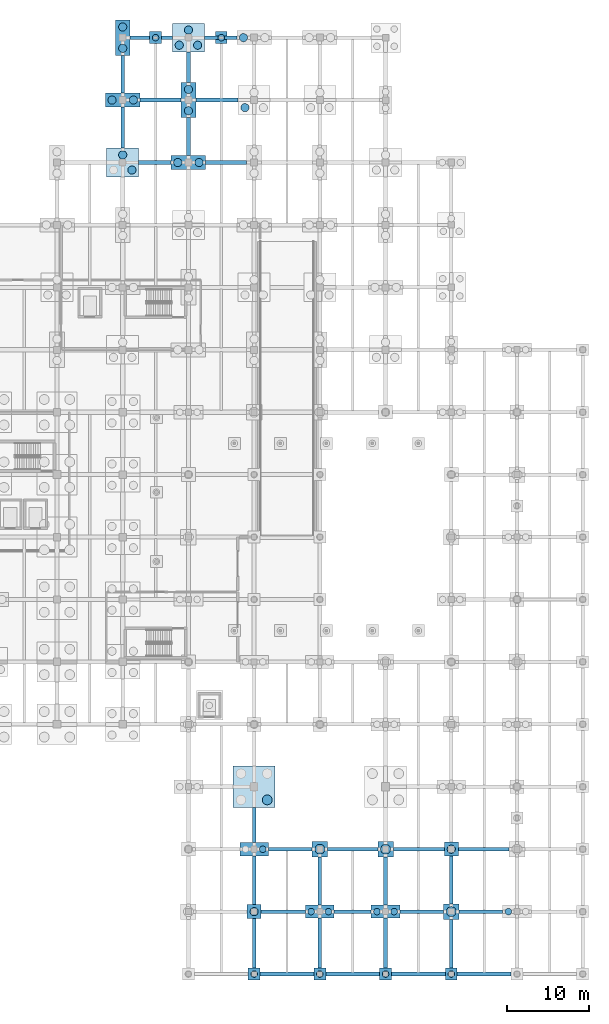
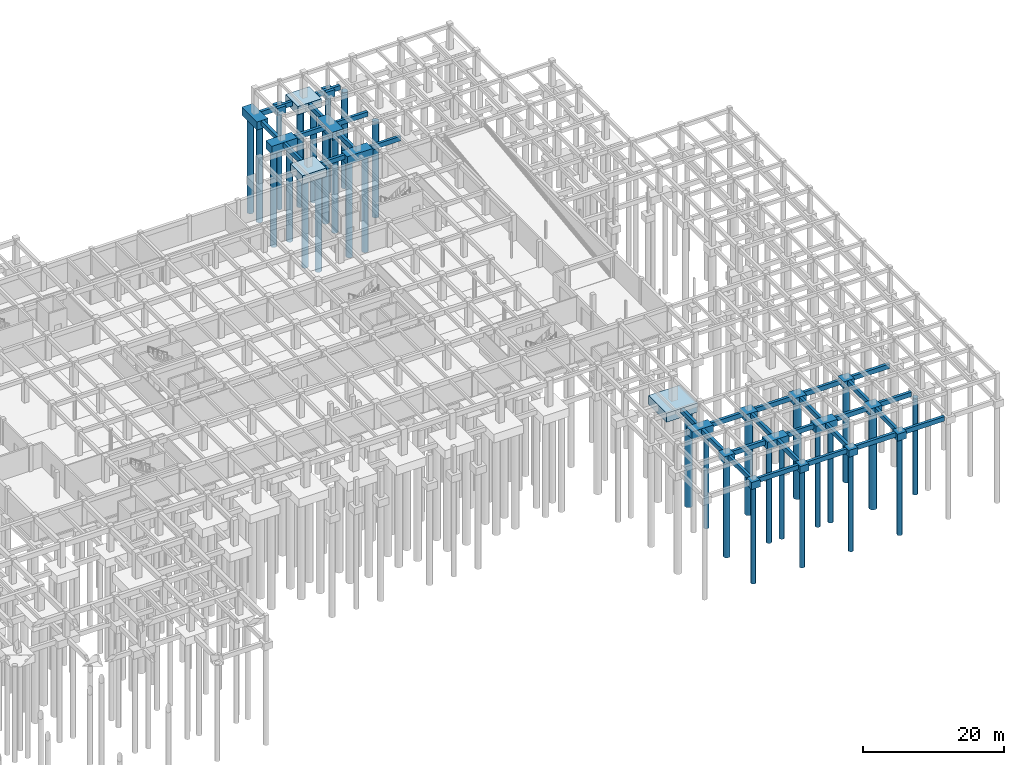
# One storey, part 12 of 49: 52 footings, 33 piles.
"""IFC4 building model written with IfcOpenShell, lengths in metres."""

from ifc_helpers import new_model, si_unit, direction, frame, origin, origin_2d, place, context, subcontext, project, spatial, rectangle, circle, extrude, material, layer, layer_set, material_profile, profile_set, type_object, element, save


model = new_model("IFC4")

# Units and contexts
model_context = context("Model", 3, precision=1e-05, world=origin(), true_north=direction((0.0, 1.0)))
body_context = subcontext(model_context, "Body", "Model", "MODEL_VIEW")
ifc_project = project(units=[si_unit("LENGTHUNIT", "METRE"), si_unit("AREAUNIT", "SQUARE_METRE"), si_unit("VOLUMEUNIT", "CUBIC_METRE"), si_unit("PLANEANGLEUNIT", "RADIAN"), si_unit("MASSUNIT", "GRAM", prefix="KILO")], contexts=[model_context])

# Site, building, storey
site_placement = place(None, origin())
site = spatial("IfcSite", under=ifc_project, at=site_placement, CompositionType="ELEMENT")
building_placement = place(site_placement, origin())
building = spatial("IfcBuilding", under=site, at=building_placement, Name="Zantavel Square City Hall", CompositionType="ELEMENT")
storey_placement = place(building_placement, frame((0.0, 0.0, -4.5)))
storey = spatial("IfcBuildingStorey", under=building, at=storey_placement, Name="B1", CompositionType="ELEMENT", Elevation=-4.5)

# Piles
ifc_material_1 = material(Name="Concrete C35/45", Category="concrete")
ifc_material_profile_1 = material_profile(ifc_material_1, circle(Radius=0.5, at=origin_2d()), Name="PILE D1000")
ifc_profile_set_1 = profile_set([ifc_material_profile_1], Name="Concrete C35/45")
pile_type_1 = type_object("IfcPileType", Name="Bored Pile D1000 Concrete C35/45", PredefinedType="BORED", material=ifc_profile_set_1)
for number, where, z_axis, x_axis, name in (
    (1, (113.1201171875, 97.8798828125, -1.35009765625), (0.0, 0.0, -1.0), (1.0, 0.0, 0.0), "Bored Pile FDN-PL-1120-0988-2"),
    (2, (112.0, 99.719970703125, -1.35009765625), (0.0, 0.0, -1.0), (1.0, 0.0, 0.0), "Bored Pile FDN-PL-1120-0988-3"),
):
    element("IfcPile", number, at=place(storey_placement, frame(where, z_axis=z_axis, x_axis=x_axis)), inside=storey, type_object=pile_type_1, Name=name, PredefinedType="BORED", context=body_context, shape_type="SweptSolid", body=[
        extrude(circle(Radius=0.5, at=origin_2d()), origin(), (0.0, 0.0, 1.0), 16.64990234375),
    ])
for number, where, z_axis, x_axis, name in (
    (3, (110.699951171875, 106.39990234375, -1.300048828125), (0.0, 0.0, -1.0), (1.0, 0.0, 0.0), "Bored Pile FDN-PL-1120-1064-1"),
    (4, (113.300048828125, 106.39990234375, -1.300048828125), (0.0, 0.0, -1.0), (1.0, 0.0, 0.0), "Bored Pile FDN-PL-1120-1064-2"),
    (5, (112.0, 112.699951171875, -1.300048828125), (0.0, 0.0, -1.0), (1.0, 0.0, 0.0), "Bored Pile FDN-PL-1120-1140-1"),
    (6, (112.0, 115.300048828125, -1.300048828125), (0.0, 0.0, -1.0), (1.0, 0.0, 0.0), "Bored Pile FDN-PL-1120-1140-2"),
    (7, (118.699951171875, 98.800048828125, -1.300048828125), (0.0, 0.0, -1.0), (1.0, 0.0, 0.0), "Bored Pile FDN-PL-1200-0988-1"),
    (8, (121.300048828125, 98.800048828125, -1.300048828125), (0.0, 0.0, -1.0), (1.0, 0.0, 0.0), "Bored Pile FDN-PL-1200-0988-2"),
    (9, (120.0, 105.10009765625, -1.300048828125), (0.0, 0.0, -1.0), (1.0, 0.0, 0.0), "Bored Pile FDN-PL-1200-1064-1"),
    (10, (120.0, 107.699951171875, -1.300048828125), (0.0, 0.0, -1.0), (1.0, 0.0, 0.0), "Bored Pile FDN-PL-1200-1064-2"),
):
    element("IfcPile", number, at=place(storey_placement, frame(where, z_axis=z_axis, x_axis=x_axis)), inside=storey, type_object=pile_type_1, Name=name, PredefinedType="BORED", context=body_context, shape_type="SweptSolid", body=[
        extrude(circle(Radius=0.5, at=origin_2d()), origin(), (0.0, 0.0, 1.0), 16.699951171875),
    ])
for number, where, z_axis, x_axis, name in (
    (11, (118.8798828125, 113.080078125, -1.35009765625), (0.0, 0.0, -1.0), (1.0, 0.0, 0.0), "Bored Pile FDN-PL-1200-1140-1"),
    (12, (121.1201171875, 113.080078125, -1.35009765625), (0.0, 0.0, -1.0), (1.0, 0.0, 0.0), "Bored Pile FDN-PL-1200-1140-2"),
    (13, (120.0, 114.919921875, -1.35009765625), (0.0, 0.0, -1.0), (1.0, 0.0, 0.0), "Bored Pile FDN-PL-1200-1140-3"),
):
    element("IfcPile", number, at=place(storey_placement, frame(where, z_axis=z_axis, x_axis=x_axis)), inside=storey, type_object=pile_type_1, Name=name, PredefinedType="BORED", context=body_context, shape_type="SweptSolid", body=[
        extrude(circle(Radius=0.5, at=origin_2d()), origin(), (0.0, 0.0, 1.0), 16.64990234375),
    ])
pile_1_placement = place(storey_placement, frame((128.0, 7.60009765625, -1.14990234375), z_axis=(0.0, 0.0, -1.0), x_axis=(1.0, 0.0, 0.0)))
element("IfcPile", 14, at=pile_1_placement, inside=storey, type_object=pile_type_1, Name="Bored Pile FDN-PL-1280-0076-1", PredefinedType="BORED", context=body_context, shape_type="SweptSolid", body=[
    extrude(circle(Radius=0.5, at=origin_2d()), origin(), (0.0, 0.0, 1.0), 16.85009765625),
])
pile_2_placement = place(storey_placement, frame((126.8798828125, 105.47998046875, -1.35009765625), z_axis=(0.0, 0.0, -1.0), x_axis=(1.0, 0.0, 0.0)))
element("IfcPile", 15, at=pile_2_placement, inside=storey, type_object=pile_type_1, Name="Bored Pile FDN-PL-1280-1064-1", PredefinedType="BORED", context=body_context, shape_type="SweptSolid", body=[
    extrude(circle(Radius=0.5, at=origin_2d()), origin(), (0.0, 0.0, 1.0), 16.64990234375),
])
pile_3_placement = place(storey_placement, frame((126.699951171875, 114.0, -1.300048828125), z_axis=(0.0, 0.0, -1.0), x_axis=(1.0, 0.0, 0.0)))
element("IfcPile", 16, at=pile_3_placement, inside=storey, type_object=pile_type_1, Name="Bored Pile FDN-PL-1280-1140-1", PredefinedType="BORED", context=body_context, shape_type="SweptSolid", body=[
    extrude(circle(Radius=0.5, at=origin_2d()), origin(), (0.0, 0.0, 1.0), 16.699951171875),
])
pile_4_placement = place(storey_placement, frame((152.0, 15.199951171875, -1.14990234375), z_axis=(0.0, 0.0, -1.0), x_axis=(1.0, 0.0, 0.0)))
element("IfcPile", 17, at=pile_4_placement, inside=storey, type_object=pile_type_1, Name="Bored Pile FDN-PL-1520-0152-1", PredefinedType="BORED", context=body_context, shape_type="SweptSolid", body=[
    extrude(circle(Radius=0.5, at=origin_2d()), origin(), (0.0, 0.0, 1.0), 16.85009765625),
])
ifc_material_profile_2 = material_profile(ifc_material_1, circle(Radius=0.60009765625, at=origin_2d()), Name="PILE D1200")
ifc_profile_set_2 = profile_set([ifc_material_profile_2], Name="Concrete C35/45")
pile_type_2 = type_object("IfcPileType", Name="Bored Pile D1200 Concrete C35/45", PredefinedType="BORED", material=ifc_profile_set_2)
pile_5_placement = place(storey_placement, frame((129.60009765625, 21.199951171875, -1.5), z_axis=(0.0, 0.0, -1.0), x_axis=(1.0, 0.0, 0.0)))
element("IfcPile", 18, at=pile_5_placement, inside=storey, type_object=pile_type_2, Name="Bored Pile FDN-PL-1280-0228-2", PredefinedType="BORED", context=body_context, shape_type="SweptSolid", body=[
    extrude(circle(Radius=0.60009765625, at=origin_2d()), origin(), (0.0, 0.0, 1.0), 16.5),
])
for number, where, z_axis, x_axis, name in (
    (19, (136.0, 15.199951171875, -1.199951171875), (0.0, 0.0, -1.0), (1.0, 0.0, 0.0), "Bored Pile FDN-PL-1360-0152-1"),
    (20, (144.0, 15.199951171875, -1.199951171875), (0.0, 0.0, -1.0), (1.0, 0.0, 0.0), "Bored Pile FDN-PL-1440-0152-1"),
    (21, (152.0, 7.60009765625, -1.199951171875), (0.0, 0.0, -1.0), (1.0, 0.0, 0.0), "Bored Pile FDN-PL-1520-0076-1"),
):
    element("IfcPile", number, at=place(storey_placement, frame(where, z_axis=z_axis, x_axis=x_axis)), inside=storey, type_object=pile_type_2, Name=name, PredefinedType="BORED", context=body_context, shape_type="SweptSolid", body=[
        extrude(circle(Radius=0.60009765625, at=origin_2d()), origin(), (0.0, 0.0, 1.0), 16.800048828125),
    ])
ifc_material_profile_3 = material_profile(ifc_material_1, circle(Radius=0.39990234375, at=origin_2d()), Name="PILE D800")
ifc_profile_set_3 = profile_set([ifc_material_profile_3], Name="Concrete C35/45")
pile_type_3 = type_object("IfcPileType", Name="Bored Pile D800 Concrete C35/45", PredefinedType="BORED", material=ifc_profile_set_3)
pile_6_placement = place(storey_placement, frame((128.0, 0.0, -1.10009765625), z_axis=(0.0, 0.0, -1.0), x_axis=(1.0, 0.0, 0.0)))
element("IfcPile", 22, at=pile_6_placement, inside=storey, type_object=pile_type_3, Name="Bored Pile FDN-PL-1280-0000-1", PredefinedType="BORED", context=body_context, shape_type="SweptSolid", body=[
    extrude(circle(Radius=0.39990234375, at=origin_2d()), origin(), (0.0, 0.0, 1.0), 16.89990234375),
])
pile_7_placement = place(storey_placement, frame((129.050048828125, 15.199951171875, -1.199951171875), z_axis=(0.0, 0.0, -1.0), x_axis=(1.0, 0.0, 0.0)))
element("IfcPile", 23, at=pile_7_placement, inside=storey, type_object=pile_type_3, Name="Bored Pile FDN-PL-1280-0152-2", PredefinedType="BORED", context=body_context, shape_type="SweptSolid", body=[
    extrude(circle(Radius=0.39990234375, at=origin_2d()), origin(), (0.0, 0.0, 1.0), 16.800048828125),
])
pile_8_placement = place(storey_placement, frame((136.0, 0.0, -1.10009765625), z_axis=(0.0, 0.0, -1.0), x_axis=(1.0, 0.0, 0.0)))
element("IfcPile", 24, at=pile_8_placement, inside=storey, type_object=pile_type_3, Name="Bored Pile FDN-PL-1360-0000-1", PredefinedType="BORED", context=body_context, shape_type="SweptSolid", body=[
    extrude(circle(Radius=0.39990234375, at=origin_2d()), origin(), (0.0, 0.0, 1.0), 16.89990234375),
])
for number, where, z_axis, x_axis, name in (
    (25, (134.949951171875, 7.60009765625, -1.199951171875), (0.0, 0.0, -1.0), (1.0, 0.0, 0.0), "Bored Pile FDN-PL-1360-0076-1"),
    (26, (137.050048828125, 7.60009765625, -1.199951171875), (0.0, 0.0, -1.0), (1.0, 0.0, 0.0), "Bored Pile FDN-PL-1360-0076-2"),
):
    element("IfcPile", number, at=place(storey_placement, frame(where, z_axis=z_axis, x_axis=x_axis)), inside=storey, type_object=pile_type_3, Name=name, PredefinedType="BORED", context=body_context, shape_type="SweptSolid", body=[
        extrude(circle(Radius=0.39990234375, at=origin_2d()), origin(), (0.0, 0.0, 1.0), 16.800048828125),
    ])
pile_9_placement = place(storey_placement, frame((144.0, 0.0, -1.10009765625), z_axis=(0.0, 0.0, -1.0), x_axis=(1.0, 0.0, 0.0)))
element("IfcPile", 27, at=pile_9_placement, inside=storey, type_object=pile_type_3, Name="Bored Pile FDN-PL-1440-0000-1", PredefinedType="BORED", context=body_context, shape_type="SweptSolid", body=[
    extrude(circle(Radius=0.39990234375, at=origin_2d()), origin(), (0.0, 0.0, 1.0), 16.89990234375),
])
for number, where, z_axis, x_axis, name in (
    (28, (142.949951171875, 7.60009765625, -1.199951171875), (0.0, 0.0, -1.0), (1.0, 0.0, 0.0), "Bored Pile FDN-PL-1440-0076-1"),
    (29, (145.050048828125, 7.60009765625, -1.199951171875), (0.0, 0.0, -1.0), (1.0, 0.0, 0.0), "Bored Pile FDN-PL-1440-0076-2"),
):
    element("IfcPile", number, at=place(storey_placement, frame(where, z_axis=z_axis, x_axis=x_axis)), inside=storey, type_object=pile_type_3, Name=name, PredefinedType="BORED", context=body_context, shape_type="SweptSolid", body=[
        extrude(circle(Radius=0.39990234375, at=origin_2d()), origin(), (0.0, 0.0, 1.0), 16.800048828125),
    ])
pile_10_placement = place(storey_placement, frame((152.0, 0.0, -1.10009765625), z_axis=(0.0, 0.0, -1.0), x_axis=(1.0, 0.0, 0.0)))
element("IfcPile", 30, at=pile_10_placement, inside=storey, type_object=pile_type_3, Name="Bored Pile FDN-PL-1520-0000-1", PredefinedType="BORED", context=body_context, shape_type="SweptSolid", body=[
    extrude(circle(Radius=0.39990234375, at=origin_2d()), origin(), (0.0, 0.0, 1.0), 16.89990234375),
])
pile_11_placement = place(storey_placement, frame((158.949951171875, 7.60009765625, -1.199951171875), z_axis=(0.0, 0.0, -1.0), x_axis=(1.0, 0.0, 0.0)))
element("IfcPile", 31, at=pile_11_placement, inside=storey, type_object=pile_type_3, Name="Bored Pile FDN-PL-1600-0076-1", PredefinedType="BORED", context=body_context, shape_type="SweptSolid", body=[
    extrude(circle(Radius=0.39990234375, at=origin_2d()), origin(), (0.0, 0.0, 1.0), 16.800048828125),
])
for number, where, z_axis, x_axis, name in (
    (32, (116.0, 114.0, -1.10009765625), (0.0, 0.0, -1.0), (1.0, 0.0, 0.0), "Pilaster Bored Pile FDN-PLPIL-1160-1140"),
    (33, (124.0, 114.0, -1.10009765625), (0.0, 0.0, -1.0), (1.0, 0.0, 0.0), "Pilaster Bored Pile FDN-PLPIL-1240-1140"),
):
    element("IfcPile", number, at=place(storey_placement, frame(where, z_axis=z_axis, x_axis=x_axis)), inside=storey, type_object=pile_type_3, Name=name, PredefinedType="BORED", context=body_context, shape_type="SweptSolid", body=[
        extrude(circle(Radius=0.39990234375, at=origin_2d()), origin(), (0.0, 0.0, 1.0), 16.89990234375),
    ])

# Footings
ifc_material_profile_4 = material_profile(ifc_material_1, rectangle(XDim=0.449951171875, YDim=0.800048828125, at=origin_2d()), Name="RC 450x800")
ifc_profile_set_4 = profile_set([ifc_material_profile_4], Name="Concrete C35/45")
footing_type_1 = type_object("IfcFootingType", Name="Courtyard Grade Tie Beam 450x800 C35/45", PredefinedType="FOOTING_BEAM", material=ifc_profile_set_4)
footing_1_placement = place(storey_placement, frame((113.949951171875, 98.800048828125, -0.39990234375), z_axis=(1.0, 0.0, 0.0), x_axis=(0.0, 1.0, 0.0)))
element("IfcFooting", 34, at=footing_1_placement, inside=storey, type_object=footing_type_1, Name="Grade Tie Beam FDN-GTBX-1120-0988", PredefinedType="FOOTING_BEAM", context=body_context, shape_type="SweptSolid", body=[
    extrude(rectangle(XDim=0.449951171875, YDim=0.800048828125, at=origin_2d()), origin(), (0.0, 0.0, 1.0), 3.949951171875),
])
for number, where, z_axis, x_axis, name in (
    (35, (112.0, 100.550048828125, -0.39990234375), (0.0, 1.0, 0.0), (-1.0, 0.0, 0.0), "Grade Tie Beam FDN-GTBY-1120-0988"),
    (36, (114.10009765625, 106.39990234375, -0.39990234375), (1.0, 0.0, 0.0), (0.0, 1.0, 0.0), "Grade Tie Beam FDN-GTBX-1120-1064"),
):
    element("IfcFooting", number, at=place(storey_placement, frame(where, z_axis=z_axis, x_axis=x_axis)), inside=storey, type_object=footing_type_1, Name=name, PredefinedType="FOOTING_BEAM", context=body_context, shape_type="SweptSolid", body=[
        extrude(rectangle(XDim=0.449951171875, YDim=0.800048828125, at=origin_2d()), origin(), (0.0, 0.0, 1.0), 5.0),
    ])
footing_2_placement = place(storey_placement, frame((112.0, 107.25, -0.39990234375), z_axis=(0.0, 1.0, 0.0), x_axis=(-1.0, 0.0, 0.0)))
element("IfcFooting", 37, at=footing_2_placement, inside=storey, type_object=footing_type_1, Name="Grade Tie Beam FDN-GTBY-1120-1064", PredefinedType="FOOTING_BEAM", context=body_context, shape_type="SweptSolid", body=[
    extrude(rectangle(XDim=0.449951171875, YDim=0.800048828125, at=origin_2d()), origin(), (0.0, 0.0, 1.0), 4.60009765625),
])
footing_3_placement = place(storey_placement, frame((112.89990234375, 114.0, -0.39990234375), z_axis=(1.0, 0.0, 0.0), x_axis=(0.0, 1.0, 0.0)))
element("IfcFooting", 38, at=footing_3_placement, inside=storey, type_object=footing_type_1, Name="Grade Tie Beam FDN-GTBX-1120-1140", PredefinedType="FOOTING_BEAM", context=body_context, shape_type="SweptSolid", body=[
    extrude(rectangle(XDim=0.449951171875, YDim=0.800048828125, at=origin_2d()), origin(), (0.0, 0.0, 1.0), 5.150146484375),
])
footing_4_placement = place(storey_placement, frame((122.10009765625, 98.800048828125, -0.39990234375), z_axis=(1.0, 0.0, 0.0), x_axis=(0.0, 1.0, 0.0)))
element("IfcFooting", 39, at=footing_4_placement, inside=storey, type_object=footing_type_1, Name="Grade Tie Beam FDN-GTBX-1200-0988", PredefinedType="FOOTING_BEAM", context=body_context, shape_type="SweptSolid", body=[
    extrude(rectangle(XDim=0.449951171875, YDim=0.800048828125, at=origin_2d()), origin(), (0.0, 0.0, 1.0), 5.0),
])
footing_5_placement = place(storey_placement, frame((120.0, 99.64990234375, -0.39990234375), z_axis=(0.0, 1.0, 0.0), x_axis=(-1.0, 0.0, 0.0)))
element("IfcFooting", 40, at=footing_5_placement, inside=storey, type_object=footing_type_1, Name="Grade Tie Beam FDN-GTBY-1200-0988", PredefinedType="FOOTING_BEAM", context=body_context, shape_type="SweptSolid", body=[
    extrude(rectangle(XDim=0.449951171875, YDim=0.800048828125, at=origin_2d()), origin(), (0.0, 0.0, 1.0), 4.60009765625),
])
footing_6_placement = place(storey_placement, frame((120.89990234375, 106.39990234375, -0.39990234375), z_axis=(1.0, 0.0, 0.0), x_axis=(0.0, 1.0, 0.0)))
element("IfcFooting", 41, at=footing_6_placement, inside=storey, type_object=footing_type_1, Name="Grade Tie Beam FDN-GTBX-1200-1064", PredefinedType="FOOTING_BEAM", context=body_context, shape_type="SweptSolid", body=[
    extrude(rectangle(XDim=0.449951171875, YDim=0.800048828125, at=origin_2d()), origin(), (0.0, 0.0, 1.0), 5.150146484375),
])
footing_7_placement = place(storey_placement, frame((120.0, 108.550048828125, -0.39990234375), z_axis=(0.0, 1.0, 0.0), x_axis=(-1.0, 0.0, 0.0)))
element("IfcFooting", 42, at=footing_7_placement, inside=storey, type_object=footing_type_1, Name="Grade Tie Beam FDN-GTBY-1200-1064", PredefinedType="FOOTING_BEAM", context=body_context, shape_type="SweptSolid", body=[
    extrude(rectangle(XDim=0.449951171875, YDim=0.800048828125, at=origin_2d()), origin(), (0.0, 0.0, 1.0), 3.699951171875),
])
footing_8_placement = place(storey_placement, frame((121.949951171875, 114.0, -0.39990234375), z_axis=(1.0, 0.0, 0.0), x_axis=(0.0, 1.0, 0.0)))
element("IfcFooting", 43, at=footing_8_placement, inside=storey, type_object=footing_type_1, Name="Grade Tie Beam FDN-GTBX-1200-1140", PredefinedType="FOOTING_BEAM", context=body_context, shape_type="SweptSolid", body=[
    extrude(rectangle(XDim=0.449951171875, YDim=0.800048828125, at=origin_2d()), origin(), (0.0, 0.0, 1.0), 3.949951171875),
])
footing_9_placement = place(storey_placement, frame((128.72509765625, 0.0, -0.39990234375), z_axis=(1.0, 0.0, 0.0), x_axis=(0.0, 1.0, 0.0)))
element("IfcFooting", 44, at=footing_9_placement, inside=storey, type_object=footing_type_1, Name="Grade Tie Beam FDN-GTBX-1280-0000", PredefinedType="FOOTING_BEAM", context=body_context, shape_type="SweptSolid", body=[
    extrude(rectangle(XDim=0.449951171875, YDim=0.800048828125, at=origin_2d()), origin(), (0.0, 0.0, 1.0), 6.5498046875),
])
footing_10_placement = place(storey_placement, frame((128.0, 0.72509765625, -0.39990234375), z_axis=(0.0, 1.0, 0.0), x_axis=(-1.0, 0.0, 0.0)))
element("IfcFooting", 45, at=footing_10_placement, inside=storey, type_object=footing_type_1, Name="Grade Tie Beam FDN-GTBY-1280-0000", PredefinedType="FOOTING_BEAM", context=body_context, shape_type="SweptSolid", body=[
    extrude(rectangle(XDim=0.449951171875, YDim=0.800048828125, at=origin_2d()), origin(), (0.0, 0.0, 1.0), 6.02490234375),
])
footing_11_placement = place(storey_placement, frame((128.85009765625, 7.60009765625, -0.39990234375), z_axis=(1.0, 0.0, 0.0), x_axis=(0.0, 1.0, 0.0)))
element("IfcFooting", 46, at=footing_11_placement, inside=storey, type_object=footing_type_1, Name="Grade Tie Beam FDN-GTBX-1280-0076", PredefinedType="FOOTING_BEAM", context=body_context, shape_type="SweptSolid", body=[
    extrude(rectangle(XDim=0.449951171875, YDim=0.800048828125, at=origin_2d()), origin(), (0.0, 0.0, 1.0), 5.39990234375),
])
footing_12_placement = place(storey_placement, frame((128.0, 8.449951171875, -0.39990234375), z_axis=(0.0, 1.0, 0.0), x_axis=(-1.0, 0.0, 0.0)))
element("IfcFooting", 47, at=footing_12_placement, inside=storey, type_object=footing_type_1, Name="Grade Tie Beam FDN-GTBY-1280-0076", PredefinedType="FOOTING_BEAM", context=body_context, shape_type="SweptSolid", body=[
    extrude(rectangle(XDim=0.449951171875, YDim=0.800048828125, at=origin_2d()), origin(), (0.0, 0.0, 1.0), 5.949951171875),
])
footing_13_placement = place(storey_placement, frame((129.75, 15.199951171875, -0.39990234375), z_axis=(1.0, 0.0, 0.0), x_axis=(0.0, 1.0, 0.0)))
element("IfcFooting", 48, at=footing_13_placement, inside=storey, type_object=footing_type_1, Name="Grade Tie Beam FDN-GTBX-1280-0152", PredefinedType="FOOTING_BEAM", context=body_context, shape_type="SweptSolid", body=[
    extrude(rectangle(XDim=0.449951171875, YDim=0.800048828125, at=origin_2d()), origin(), (0.0, 0.0, 1.0), 5.300048828125),
])
footing_14_placement = place(storey_placement, frame((128.0, 16.0, -0.39990234375), z_axis=(0.0, 1.0, 0.0), x_axis=(-1.0, 0.0, 0.0)))
element("IfcFooting", 49, at=footing_14_placement, inside=storey, type_object=footing_type_1, Name="Grade Tie Beam FDN-GTBY-1280-0152", PredefinedType="FOOTING_BEAM", context=body_context, shape_type="SweptSolid", body=[
    extrude(rectangle(XDim=0.449951171875, YDim=0.800048828125, at=origin_2d()), origin(), (0.0, 0.0, 1.0), 4.25),
])
footing_15_placement = place(storey_placement, frame((136.72509765625, 0.0, -0.39990234375), z_axis=(1.0, 0.0, 0.0), x_axis=(0.0, 1.0, 0.0)))
element("IfcFooting", 50, at=footing_15_placement, inside=storey, type_object=footing_type_1, Name="Grade Tie Beam FDN-GTBX-1360-0000", PredefinedType="FOOTING_BEAM", context=body_context, shape_type="SweptSolid", body=[
    extrude(rectangle(XDim=0.449951171875, YDim=0.800048828125, at=origin_2d()), origin(), (0.0, 0.0, 1.0), 6.5498046875),
])
footing_16_placement = place(storey_placement, frame((136.0, 0.72509765625, -0.39990234375), z_axis=(0.0, 1.0, 0.0), x_axis=(-1.0, 0.0, 0.0)))
element("IfcFooting", 51, at=footing_16_placement, inside=storey, type_object=footing_type_1, Name="Grade Tie Beam FDN-GTBY-1360-0000", PredefinedType="FOOTING_BEAM", context=body_context, shape_type="SweptSolid", body=[
    extrude(rectangle(XDim=0.449951171875, YDim=0.800048828125, at=origin_2d()), origin(), (0.0, 0.0, 1.0), 6.074951171875),
])
footing_17_placement = place(storey_placement, frame((137.75, 7.60009765625, -0.39990234375), z_axis=(1.0, 0.0, 0.0), x_axis=(0.0, 1.0, 0.0)))
element("IfcFooting", 52, at=footing_17_placement, inside=storey, type_object=footing_type_1, Name="Grade Tie Beam FDN-GTBX-1360-0076", PredefinedType="FOOTING_BEAM", context=body_context, shape_type="SweptSolid", body=[
    extrude(rectangle(XDim=0.449951171875, YDim=0.800048828125, at=origin_2d()), origin(), (0.0, 0.0, 1.0), 4.5),
])
footing_18_placement = place(storey_placement, frame((136.0, 8.39990234375, -0.39990234375), z_axis=(0.0, 1.0, 0.0), x_axis=(-1.0, 0.0, 0.0)))
element("IfcFooting", 53, at=footing_18_placement, inside=storey, type_object=footing_type_1, Name="Grade Tie Beam FDN-GTBY-1360-0076", PredefinedType="FOOTING_BEAM", context=body_context, shape_type="SweptSolid", body=[
    extrude(rectangle(XDim=0.449951171875, YDim=0.800048828125, at=origin_2d()), origin(), (0.0, 0.0, 1.0), 5.85009765625),
])
footing_19_placement = place(storey_placement, frame((136.949951171875, 15.199951171875, -0.39990234375), z_axis=(1.0, 0.0, 0.0), x_axis=(0.0, 1.0, 0.0)))
element("IfcFooting", 54, at=footing_19_placement, inside=storey, type_object=footing_type_1, Name="Grade Tie Beam FDN-GTBX-1360-0152", PredefinedType="FOOTING_BEAM", context=body_context, shape_type="SweptSolid", body=[
    extrude(rectangle(XDim=0.449951171875, YDim=0.800048828125, at=origin_2d()), origin(), (0.0, 0.0, 1.0), 6.10009765625),
])
footing_20_placement = place(storey_placement, frame((144.72509765625, 0.0, -0.39990234375), z_axis=(1.0, 0.0, 0.0), x_axis=(0.0, 1.0, 0.0)))
element("IfcFooting", 55, at=footing_20_placement, inside=storey, type_object=footing_type_1, Name="Grade Tie Beam FDN-GTBX-1440-0000", PredefinedType="FOOTING_BEAM", context=body_context, shape_type="SweptSolid", body=[
    extrude(rectangle(XDim=0.449951171875, YDim=0.800048828125, at=origin_2d()), origin(), (0.0, 0.0, 1.0), 6.5498046875),
])
footing_21_placement = place(storey_placement, frame((144.0, 0.72509765625, -0.39990234375), z_axis=(0.0, 1.0, 0.0), x_axis=(-1.0, 0.0, 0.0)))
element("IfcFooting", 56, at=footing_21_placement, inside=storey, type_object=footing_type_1, Name="Grade Tie Beam FDN-GTBY-1440-0000", PredefinedType="FOOTING_BEAM", context=body_context, shape_type="SweptSolid", body=[
    extrude(rectangle(XDim=0.449951171875, YDim=0.800048828125, at=origin_2d()), origin(), (0.0, 0.0, 1.0), 6.074951171875),
])
footing_22_placement = place(storey_placement, frame((145.75, 7.60009765625, -0.39990234375), z_axis=(1.0, 0.0, 0.0), x_axis=(0.0, 1.0, 0.0)))
element("IfcFooting", 57, at=footing_22_placement, inside=storey, type_object=footing_type_1, Name="Grade Tie Beam FDN-GTBX-1440-0076", PredefinedType="FOOTING_BEAM", context=body_context, shape_type="SweptSolid", body=[
    extrude(rectangle(XDim=0.449951171875, YDim=0.800048828125, at=origin_2d()), origin(), (0.0, 0.0, 1.0), 5.300048828125),
])
footing_23_placement = place(storey_placement, frame((144.0, 8.39990234375, -0.39990234375), z_axis=(0.0, 1.0, 0.0), x_axis=(-1.0, 0.0, 0.0)))
element("IfcFooting", 58, at=footing_23_placement, inside=storey, type_object=footing_type_1, Name="Grade Tie Beam FDN-GTBY-1440-0076", PredefinedType="FOOTING_BEAM", context=body_context, shape_type="SweptSolid", body=[
    extrude(rectangle(XDim=0.449951171875, YDim=0.800048828125, at=origin_2d()), origin(), (0.0, 0.0, 1.0), 5.85009765625),
])
footing_24_placement = place(storey_placement, frame((144.949951171875, 15.199951171875, -0.39990234375), z_axis=(1.0, 0.0, 0.0), x_axis=(0.0, 1.0, 0.0)))
element("IfcFooting", 59, at=footing_24_placement, inside=storey, type_object=footing_type_1, Name="Grade Tie Beam FDN-GTBX-1440-0152", PredefinedType="FOOTING_BEAM", context=body_context, shape_type="SweptSolid", body=[
    extrude(rectangle(XDim=0.449951171875, YDim=0.800048828125, at=origin_2d()), origin(), (0.0, 0.0, 1.0), 6.199951171875),
])
footing_25_placement = place(storey_placement, frame((152.72509765625, 0.0, -0.39990234375), z_axis=(1.0, 0.0, 0.0), x_axis=(0.0, 1.0, 0.0)))
element("IfcFooting", 60, at=footing_25_placement, inside=storey, type_object=footing_type_1, Name="Grade Tie Beam FDN-GTBX-1520-0000", PredefinedType="FOOTING_BEAM", context=body_context, shape_type="SweptSolid", body=[
    extrude(rectangle(XDim=0.449951171875, YDim=0.800048828125, at=origin_2d()), origin(), (0.0, 0.0, 1.0), 6.5498046875),
])
footing_26_placement = place(storey_placement, frame((152.0, 0.72509765625, -0.39990234375), z_axis=(0.0, 1.0, 0.0), x_axis=(-1.0, 0.0, 0.0)))
element("IfcFooting", 61, at=footing_26_placement, inside=storey, type_object=footing_type_1, Name="Grade Tie Beam FDN-GTBY-1520-0000", PredefinedType="FOOTING_BEAM", context=body_context, shape_type="SweptSolid", body=[
    extrude(rectangle(XDim=0.449951171875, YDim=0.800048828125, at=origin_2d()), origin(), (0.0, 0.0, 1.0), 5.9248046875),
])
footing_27_placement = place(storey_placement, frame((152.949951171875, 7.60009765625, -0.39990234375), z_axis=(1.0, 0.0, 0.0), x_axis=(0.0, 1.0, 0.0)))
element("IfcFooting", 62, at=footing_27_placement, inside=storey, type_object=footing_type_1, Name="Grade Tie Beam FDN-GTBX-1520-0076", PredefinedType="FOOTING_BEAM", context=body_context, shape_type="SweptSolid", body=[
    extrude(rectangle(XDim=0.449951171875, YDim=0.800048828125, at=origin_2d()), origin(), (0.0, 0.0, 1.0), 5.300048828125),
])
footing_28_placement = place(storey_placement, frame((152.0, 8.550048828125, -0.39990234375), z_axis=(0.0, 1.0, 0.0), x_axis=(-1.0, 0.0, 0.0)))
element("IfcFooting", 63, at=footing_28_placement, inside=storey, type_object=footing_type_1, Name="Grade Tie Beam FDN-GTBY-1520-0076", PredefinedType="FOOTING_BEAM", context=body_context, shape_type="SweptSolid", body=[
    extrude(rectangle(XDim=0.449951171875, YDim=0.800048828125, at=origin_2d()), origin(), (0.0, 0.0, 1.0), 5.800048828125),
])
footing_29_placement = place(storey_placement, frame((152.85009765625, 15.199951171875, -0.39990234375), z_axis=(1.0, 0.0, 0.0), x_axis=(0.0, 1.0, 0.0)))
element("IfcFooting", 64, at=footing_29_placement, inside=storey, type_object=footing_type_1, Name="Grade Tie Beam FDN-GTBX-1520-0152", PredefinedType="FOOTING_BEAM", context=body_context, shape_type="SweptSolid", body=[
    extrude(rectangle(XDim=0.449951171875, YDim=0.800048828125, at=origin_2d()), origin(), (0.0, 0.0, 1.0), 6.199951171875),
])
ifc_material_2 = material(Name="Concrete C40/50", Category="concrete")
ifc_layer_1 = layer(ifc_material_2, 1.25, Name="Concrete C40/50")
ifc_layer_set_1 = layer_set([ifc_layer_1], Name="Concrete C40/50")
footing_type_2 = type_object("IfcFootingType", Name="Pile Cap 1P-D1000 1700x1700x1250", PredefinedType="PILE_CAP", material=ifc_layer_set_1)
for number, where, z_axis, x_axis, name in (
    (65, (128.0, 7.60009765625, -1.25), (0.0, 0.0, 1.0), (1.0, 0.0, 0.0), "Pile Cap FDN-PC-1280-0076"),
    (66, (152.0, 15.199951171875, -1.25), (0.0, 0.0, 1.0), (1.0, 0.0, 0.0), "Pile Cap FDN-PC-1520-0152"),
):
    element("IfcFooting", number, at=place(storey_placement, frame(where, z_axis=z_axis, x_axis=x_axis)), inside=storey, type_object=footing_type_2, Name=name, PredefinedType="PILE_CAP", context=body_context, shape_type="SweptSolid", body=[
        extrude(rectangle(XDim=1.699951171875, YDim=1.699951171875, at=origin_2d()), origin(), (0.0, 0.0, 1.0), 1.25),
    ])
ifc_layer_2 = layer(ifc_material_2, 1.300048828125, Name="Concrete C40/50")
ifc_layer_set_2 = layer_set([ifc_layer_2], Name="Concrete C40/50")
footing_type_3 = type_object("IfcFootingType", Name="Pile Cap 1P-D1200 1900x1900x1300", PredefinedType="PILE_CAP", material=ifc_layer_set_2)
for number, where, z_axis, x_axis, name in (
    (67, (136.0, 15.199951171875, -1.2998046875), (0.0, 0.0, 1.0), (1.0, 0.0, 0.0), "Pile Cap FDN-PC-1360-0152"),
    (68, (144.0, 15.199951171875, -1.2998046875), (0.0, 0.0, 1.0), (1.0, 0.0, 0.0), "Pile Cap FDN-PC-1440-0152"),
    (69, (152.0, 7.60009765625, -1.2998046875), (0.0, 0.0, 1.0), (1.0, 0.0, 0.0), "Pile Cap FDN-PC-1520-0076"),
):
    element("IfcFooting", number, at=place(storey_placement, frame(where, z_axis=z_axis, x_axis=x_axis)), inside=storey, type_object=footing_type_3, Name=name, PredefinedType="PILE_CAP", context=body_context, shape_type="SweptSolid", body=[
        extrude(rectangle(XDim=1.89990234375, YDim=1.89990234375, at=origin_2d()), origin(), (0.0, 0.0, 1.0), 1.300048828125),
    ])
ifc_layer_3 = layer(ifc_material_2, 1.199951171875, Name="Concrete C40/50")
ifc_layer_set_3 = layer_set([ifc_layer_3], Name="Concrete C40/50")
footing_type_4 = type_object("IfcFootingType", Name="Pile Cap 1P-D800 1450x1450x1200", PredefinedType="PILE_CAP", material=ifc_layer_set_3)
for number, where, z_axis, x_axis, name in (
    (70, (128.0, 0.0, -1.2001953125), (0.0, 0.0, 1.0), (1.0, 0.0, 0.0), "Pile Cap FDN-PC-1280-0000"),
    (71, (136.0, 0.0, -1.2001953125), (0.0, 0.0, 1.0), (1.0, 0.0, 0.0), "Pile Cap FDN-PC-1360-0000"),
    (72, (144.0, 0.0, -1.2001953125), (0.0, 0.0, 1.0), (1.0, 0.0, 0.0), "Pile Cap FDN-PC-1440-0000"),
    (73, (152.0, 0.0, -1.2001953125), (0.0, 0.0, 1.0), (1.0, 0.0, 0.0), "Pile Cap FDN-PC-1520-0000"),
    (74, (116.0, 114.0, -1.2001953125), (0.0, 0.0, 1.0), (1.0, 0.0, 0.0), "Pilaster Pile Cap FDN-PCPIL-1160-1140"),
    (75, (124.0, 114.0, -1.2001953125), (0.0, 0.0, 1.0), (1.0, 0.0, 0.0), "Pilaster Pile Cap FDN-PCPIL-1240-1140"),
):
    element("IfcFooting", number, at=place(storey_placement, frame(where, z_axis=z_axis, x_axis=x_axis)), inside=storey, type_object=footing_type_4, Name=name, PredefinedType="PILE_CAP", context=body_context, shape_type="SweptSolid", body=[
        extrude(rectangle(XDim=1.449951171875, YDim=1.449951171875, at=origin_2d()), origin(), (0.0, 0.0, 1.0), 1.199951171875),
    ])
ifc_layer_4 = layer(ifc_material_2, 1.39990234375, Name="Concrete C40/50")
ifc_layer_set_4 = layer_set([ifc_layer_4], Name="Concrete C40/50")
footing_type_5 = type_object("IfcFootingType", Name="Pile Cap 2P-D1000X 4200x1700x1400", PredefinedType="PILE_CAP", material=ifc_layer_set_4)
for number, where, z_axis, x_axis, name in (
    (76, (112.0, 106.39990234375, -1.39990234375), (0.0, 0.0, 1.0), (1.0, 0.0, 0.0), "Pile Cap FDN-PC-1120-1064"),
    (77, (120.0, 98.800048828125, -1.39990234375), (0.0, 0.0, 1.0), (1.0, 0.0, 0.0), "Pile Cap FDN-PC-1200-0988"),
):
    element("IfcFooting", number, at=place(storey_placement, frame(where, z_axis=z_axis, x_axis=x_axis)), inside=storey, type_object=footing_type_5, Name=name, PredefinedType="PILE_CAP", context=body_context, shape_type="SweptSolid", body=[
        extrude(rectangle(XDim=4.199951171875, YDim=1.699951171875, at=origin_2d()), origin(), (0.0, 0.0, 1.0), 1.39990234375),
    ])
ifc_layer_5 = layer(ifc_material_2, 1.39990234375, Name="Concrete C40/50")
ifc_layer_set_5 = layer_set([ifc_layer_5], Name="Concrete C40/50")
footing_type_6 = type_object("IfcFootingType", Name="Pile Cap 2P-D1000Y 1800x4300x1400", PredefinedType="PILE_CAP", material=ifc_layer_set_5)
for number, where, z_axis, x_axis, name in (
    (78, (112.0, 114.0, -1.39990234375), (0.0, 0.0, 1.0), (1.0, 0.0, 0.0), "Pile Cap FDN-PC-1120-1140"),
    (79, (120.0, 106.39990234375, -1.39990234375), (0.0, 0.0, 1.0), (1.0, 0.0, 0.0), "Pile Cap FDN-PC-1200-1064"),
):
    element("IfcFooting", number, at=place(storey_placement, frame(where, z_axis=z_axis, x_axis=x_axis)), inside=storey, type_object=footing_type_6, Name=name, PredefinedType="PILE_CAP", context=body_context, shape_type="SweptSolid", body=[
        extrude(rectangle(XDim=1.800048828125, YDim=4.300048828125, at=origin_2d()), origin(), (0.0, 0.0, 1.0), 1.39990234375),
    ])
ifc_layer_6 = layer(ifc_material_2, 1.300048828125, Name="Concrete C40/50")
ifc_layer_set_6 = layer_set([ifc_layer_6], Name="Concrete C40/50")
footing_type_7 = type_object("IfcFootingType", Name="Pile Cap 2P-D800C 3500x1600x1300", PredefinedType="PILE_CAP", material=ifc_layer_set_6)
for number, where, z_axis, x_axis, name in (
    (80, (128.0, 15.199951171875, -1.2998046875), (0.0, 0.0, 1.0), (1.0, 0.0, 0.0), "Pile Cap FDN-PC-1280-0152"),
    (81, (136.0, 7.60009765625, -1.2998046875), (0.0, 0.0, 1.0), (1.0, 0.0, 0.0), "Pile Cap FDN-PC-1360-0076"),
    (82, (144.0, 7.60009765625, -1.2998046875), (0.0, 0.0, 1.0), (1.0, 0.0, 0.0), "Pile Cap FDN-PC-1440-0076"),
):
    element("IfcFooting", number, at=place(storey_placement, frame(where, z_axis=z_axis, x_axis=x_axis)), inside=storey, type_object=footing_type_7, Name=name, PredefinedType="PILE_CAP", context=body_context, shape_type="SweptSolid", body=[
        extrude(rectangle(XDim=3.5, YDim=1.60009765625, at=origin_2d()), origin(), (0.0, 0.0, 1.0), 1.300048828125),
    ])
ifc_layer_7 = layer(ifc_material_2, 1.449951171875, Name="Concrete C40/50")
ifc_layer_set_7 = layer_set([ifc_layer_7], Name="Concrete C40/50")
footing_type_8 = type_object("IfcFootingType", Name="Pile Cap 3P-D1000 3900x3500x1450", PredefinedType="PILE_CAP", material=ifc_layer_set_7)
for number, where, z_axis, x_axis, name in (
    (83, (112.0, 98.800048828125, -1.4501953125), (0.0, 0.0, 1.0), (1.0, 0.0, 0.0), "Pile Cap FDN-PC-1120-0988"),
    (84, (120.0, 114.0, -1.4501953125), (0.0, 0.0, 1.0), (1.0, 0.0, 0.0), "Pile Cap FDN-PC-1200-1140"),
):
    element("IfcFooting", number, at=place(storey_placement, frame(where, z_axis=z_axis, x_axis=x_axis)), inside=storey, type_object=footing_type_8, Name=name, PredefinedType="PILE_CAP", context=body_context, shape_type="SweptSolid", body=[
        extrude(rectangle(XDim=3.89990234375, YDim=3.5, at=origin_2d()), origin(), (0.0, 0.0, 1.0), 1.449951171875),
    ])
ifc_layer_8 = layer(ifc_material_2, 1.60009765625, Name="Concrete C40/50")
ifc_layer_set_8 = layer_set([ifc_layer_8], Name="Concrete C40/50")
footing_type_9 = type_object("IfcFootingType", Name="Pile Cap 4P-D1200T 5100x5100x1600", PredefinedType="PILE_CAP", material=ifc_layer_set_8)
footing_30_placement = place(storey_placement, frame((128.0, 22.800048828125, -1.60009765625), z_axis=(0.0, 0.0, 1.0), x_axis=(1.0, 0.0, 0.0)))
element("IfcFooting", 85, at=footing_30_placement, inside=storey, type_object=footing_type_9, Name="Pile Cap FDN-PC-1280-0228", PredefinedType="PILE_CAP", context=body_context, shape_type="SweptSolid", body=[
    extrude(rectangle(XDim=5.10009765625, YDim=5.10009765625, at=origin_2d()), origin(), (0.0, 0.0, 1.0), 1.60009765625),
])

save(model, "model.ifc")
